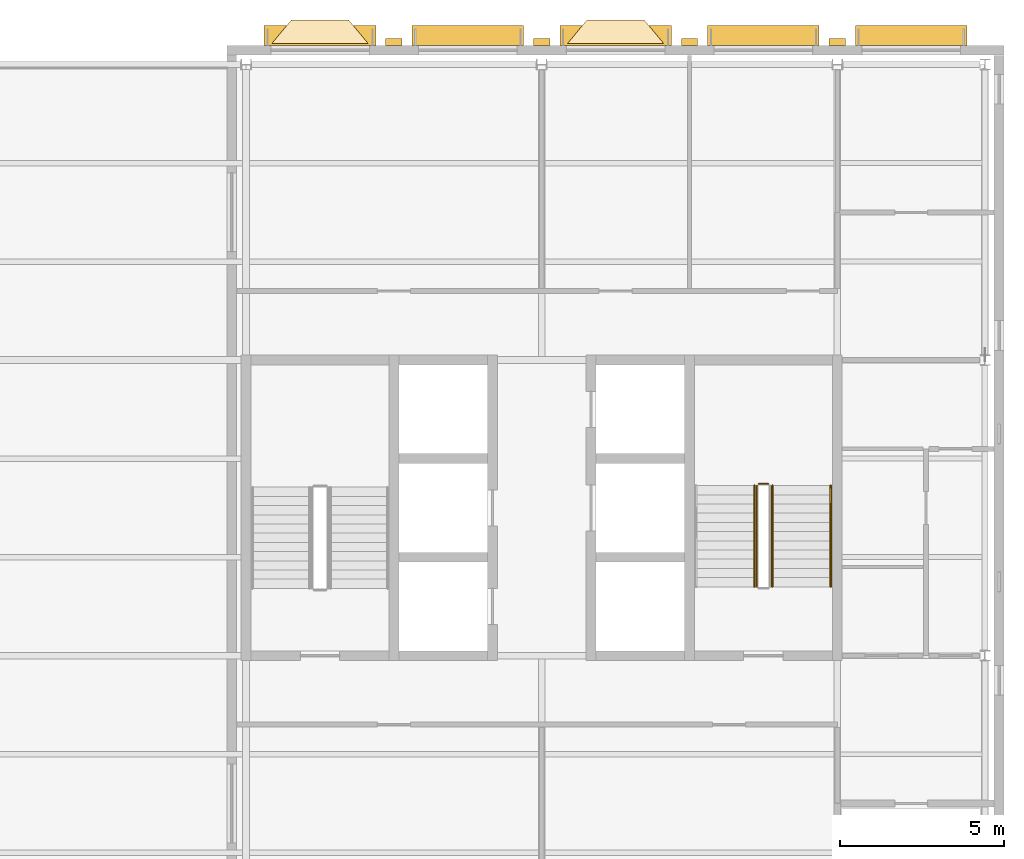
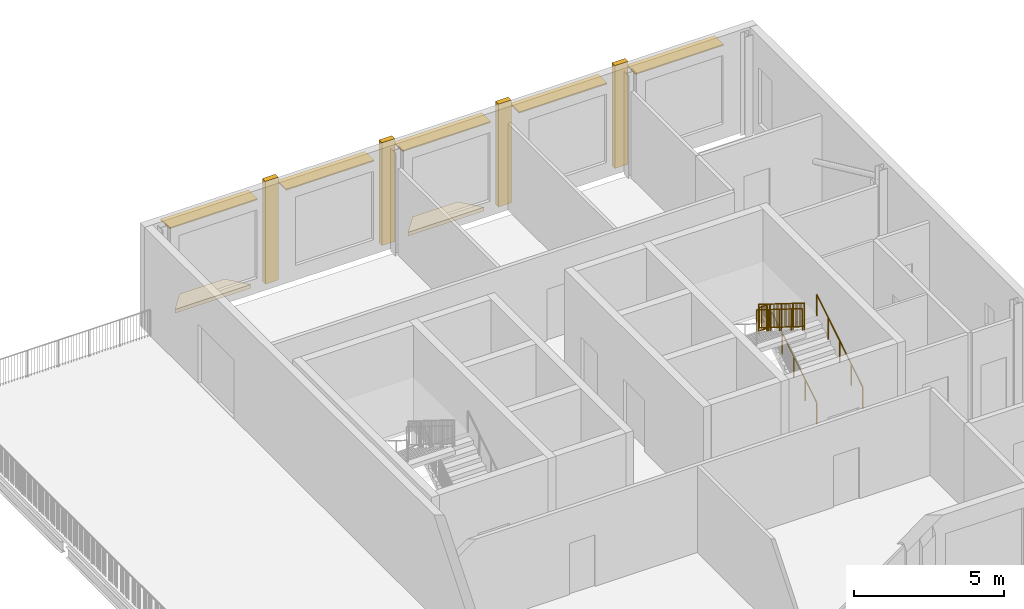
# One storey, part 7 of 7: 6 coverings, 5 railings, 5 shading devices.
"""IFC4 building model written with IfcOpenShell, lengths in metres."""

from ifc_helpers import new_model, si_unit, direction, frame, origin, origin_2d, place, context, subcontext, project, spatial, polyline, rectangle, circle, outline, extrude, material, layer, layer_set, type_object, element, save


model = new_model("IFC4")

# Units and contexts
model_context = context("Model", 3, precision=1e-05, world=origin(), true_north=direction((0.0, 1.0)))
body_context = subcontext(model_context, "Body", "Model", "MODEL_VIEW")
ifc_project = project(units=[si_unit("LENGTHUNIT", "METRE"), si_unit("AREAUNIT", "SQUARE_METRE"), si_unit("VOLUMEUNIT", "CUBIC_METRE"), si_unit("PLANEANGLEUNIT", "RADIAN"), si_unit("MASSUNIT", "GRAM", prefix="KILO")], contexts=[model_context])

# Site, building, storey
site_placement = place(None, origin())
site = spatial("IfcSite", under=ifc_project, at=site_placement, CompositionType="ELEMENT")
building_placement = place(site_placement, origin())
building = spatial("IfcBuilding", under=site, at=building_placement, Name="Hortulan Conservatory and Botanical Research Centre", CompositionType="ELEMENT")
storey_placement = place(building_placement, frame((0.0, 0.0, 61.199951171875)))
storey = spatial("IfcBuildingStorey", under=building, at=storey_placement, Name="L14", CompositionType="ELEMENT", Elevation=61.199951171875)

# Shading devices
ifc_material_1 = material(Name="Bronze-finished perforated aluminium", Category="aluminium")
ifc_layer_1 = layer(ifc_material_1, 0.050048828125)
ifc_layer_set_1 = layer_set([ifc_layer_1], Name="Brise-soleil Blade 600x50")
shading_device_type = type_object("IfcShadingDeviceType", Name="Brise-soleil Blade 600x50", PredefinedType="USERDEFINED", material=ifc_layer_set_1)
for number, where, z_axis, x_axis, name in (
    (1, (11.25, 27.885986328125, 3.5498046875), (0.0, 0.0, 1.0), (1.0, 0.0, 0.0), "Brise-soleil blade"),
    (2, (15.75, 27.885986328125, 3.5498046875), (0.0, 0.0, 1.0), (1.0, 0.0, 0.0), "Brise-soleil blade"),
    (3, (20.25, 27.885986328125, 3.5498046875), (0.0, 0.0, 1.0), (1.0, 0.0, 0.0), "Brise-soleil blade"),
    (4, (24.75, 27.885986328125, 3.5498046875), (0.0, 0.0, 1.0), (1.0, 0.0, 0.0), "Brise-soleil blade"),
    (5, (29.25, 27.885986328125, 3.5498046875), (0.0, 0.0, 1.0), (1.0, 0.0, 0.0), "Brise-soleil blade"),
):
    element("IfcShadingDevice", number, at=place(storey_placement, frame(where, z_axis=z_axis, x_axis=x_axis)), inside=storey, type_object=shading_device_type, Name=name, ObjectType="Brise-soleil blade", PredefinedType="USERDEFINED", context=body_context, shape_type="SweptSolid", body=[
        extrude(rectangle(XDim=3.39990234375, YDim=0.60009765625, at=origin_2d()), origin(), (0.0, 0.0, 1.0), 0.050048828125),
    ])

# Railings
ifc_material_2 = material(Name="Steel balustrade, bronze-charcoal paint", Category="steel")
railing_type_1 = type_object("IfcRailingType", Name="Stair Guard 1100", PredefinedType="GUARDRAIL", material=ifc_material_2)
railing_1_placement = place(storey_placement, frame((24.89990234375, 14.22998046875, 2.10009765625)))
element("IfcRailing", 6, at=railing_1_placement, inside=storey, type_object=railing_type_1, Name="Guard T2 L14 stair 2", PredefinedType="GUARDRAIL", context=body_context, shape_type="SweptSolid", body=[
    extrude(circle(Radius=0.02392578125, at=origin_2d()), frame((0.0, 0.0, 1.076171875), z_axis=(-1.0, 0.0, 0.0), x_axis=(0.0, -1.0, 0.0)), (0.0, 0.0, 1.0), 0.2998046875),
    extrude(circle(Radius=0.02392578125, at=origin_2d()), frame((0.0, 0.0, 0.1240234375), z_axis=(-1.0, 0.0, 0.0), x_axis=(0.0, -1.0, 0.0)), (0.0, 0.0, 1.0), 0.2998046875),
    extrude(circle(Radius=0.008056640625, at=origin_2d()), frame((-0.099853515625, 0.0, 0.148193359375)), (0.0, 0.0, 1.0), 0.90380859375),
    extrude(circle(Radius=0.008056640625, at=origin_2d()), frame((-0.199951171875, 0.0, 0.148193359375)), (0.0, 0.0, 1.0), 0.90380859375),
    extrude(circle(Radius=0.02099609375, at=origin_2d()), origin(), (0.0, 0.0, 1.0), 1.052001953125),
    extrude(circle(Radius=0.02099609375, at=origin_2d()), frame((-0.2998046875, 0.0, 0.0)), (0.0, 0.0, 1.0), 1.052001953125),
])
railing_2_placement = place(storey_placement, frame((24.550048828125, 14.179931640625, 2.275146484375)))
element("IfcRailing", 7, at=railing_2_placement, inside=storey, type_object=railing_type_1, Name="Guard T2 L14 stair 3", PredefinedType="GUARDRAIL", context=body_context, shape_type="SweptSolid", body=[
    extrude(circle(Radius=0.02392578125, at=origin_2d()), frame((0.0, 0.0, 1.076171875), z_axis=(0.0, -0.848009633417, 0.529980812513), x_axis=(1.0, 0.0, 0.0)), (0.0, 0.0, 1.0), 3.6318359375),
    extrude(circle(Radius=0.02392578125, at=origin_2d()), frame((0.0, 0.0, 0.1240234375), z_axis=(0.0, -0.848009633417, 0.529980812513), x_axis=(1.0, 0.0, 0.0)), (0.0, 0.0, 1.0), 3.6318359375),
    extrude(circle(Radius=0.008056640625, at=origin_2d()), frame((0.0, -0.090576171875, 0.204833984375)), (0.0, 0.0, 1.0), 0.90380859375),
    extrude(circle(Radius=0.008056640625, at=origin_2d()), frame((0.0, -0.18115234375, 0.261474609375)), (0.0, 0.0, 1.0), 0.90380859375),
    extrude(circle(Radius=0.008056640625, at=origin_2d()), frame((0.0, -0.271728515625, 0.318115234375)), (0.0, 0.0, 1.0), 0.90380859375),
    extrude(circle(Radius=0.008056640625, at=origin_2d()), frame((0.0, -0.3623046875, 0.374755859375)), (0.0, 0.0, 1.0), 0.90380859375),
    extrude(circle(Radius=0.008056640625, at=origin_2d()), frame((0.0, -0.452880859375, 0.43115234375)), (0.0, 0.0, 1.0), 0.90380859375),
    extrude(circle(Radius=0.008056640625, at=origin_2d()), frame((0.0, -0.54345703125, 0.48779296875)), (0.0, 0.0, 1.0), 0.90380859375),
    extrude(circle(Radius=0.008056640625, at=origin_2d()), frame((0.0, -0.634033203125, 0.54443359375)), (0.0, 0.0, 1.0), 0.90380859375),
    extrude(circle(Radius=0.008056640625, at=origin_2d()), frame((0.0, -0.724609375, 0.60107421875)), (0.0, 0.0, 1.0), 0.90380859375),
    extrude(circle(Radius=0.008056640625, at=origin_2d()), frame((0.0, -0.815185546875, 0.65771484375)), (0.0, 0.0, 1.0), 0.90380859375),
    extrude(circle(Radius=0.008056640625, at=origin_2d()), frame((0.0, -0.90576171875, 0.71435546875)), (0.0, 0.0, 1.0), 0.90380859375),
    extrude(circle(Radius=0.008056640625, at=origin_2d()), frame((0.0, -0.996337890625, 0.77099609375)), (0.0, 0.0, 1.0), 0.90380859375),
    extrude(circle(Radius=0.008056640625, at=origin_2d()), frame((0.0, -1.0869140625, 0.82763671875)), (0.0, 0.0, 1.0), 0.90380859375),
    extrude(circle(Radius=0.008056640625, at=origin_2d()), frame((0.0, -1.177490234375, 0.884033203125)), (0.0, 0.0, 1.0), 0.90380859375),
    extrude(circle(Radius=0.008056640625, at=origin_2d()), frame((0.0, -1.26806640625, 0.940673828125)), (0.0, 0.0, 1.0), 0.90380859375),
    extrude(circle(Radius=0.008056640625, at=origin_2d()), frame((0.0, -1.358642578125, 0.997314453125)), (0.0, 0.0, 1.0), 0.90380859375),
    extrude(circle(Radius=0.008056640625, at=origin_2d()), frame((0.0, -1.44921875, 1.053955078125)), (0.0, 0.0, 1.0), 0.90380859375),
    extrude(circle(Radius=0.008056640625, at=origin_2d()), frame((0.0, -1.5400390625, 1.110595703125)), (0.0, 0.0, 1.0), 0.90380859375),
    extrude(circle(Radius=0.008056640625, at=origin_2d()), frame((0.0, -1.630615234375, 1.167236328125)), (0.0, 0.0, 1.0), 0.90380859375),
    extrude(circle(Radius=0.008056640625, at=origin_2d()), frame((0.0, -1.72119140625, 1.223876953125)), (0.0, 0.0, 1.0), 0.90380859375),
    extrude(circle(Radius=0.008056640625, at=origin_2d()), frame((0.0, -1.811767578125, 1.280517578125)), (0.0, 0.0, 1.0), 0.90380859375),
    extrude(circle(Radius=0.008056640625, at=origin_2d()), frame((0.0, -1.90234375, 1.337158203125)), (0.0, 0.0, 1.0), 0.90380859375),
    extrude(circle(Radius=0.008056640625, at=origin_2d()), frame((0.0, -1.992919921875, 1.3935546875)), (0.0, 0.0, 1.0), 0.90380859375),
    extrude(circle(Radius=0.008056640625, at=origin_2d()), frame((0.0, -2.08349609375, 1.4501953125)), (0.0, 0.0, 1.0), 0.90380859375),
    extrude(circle(Radius=0.008056640625, at=origin_2d()), frame((0.0, -2.174072265625, 1.5068359375)), (0.0, 0.0, 1.0), 0.90380859375),
    extrude(circle(Radius=0.008056640625, at=origin_2d()), frame((0.0, -2.2646484375, 1.5634765625)), (0.0, 0.0, 1.0), 0.90380859375),
    extrude(circle(Radius=0.008056640625, at=origin_2d()), frame((0.0, -2.355224609375, 1.6201171875)), (0.0, 0.0, 1.0), 0.90380859375),
    extrude(circle(Radius=0.008056640625, at=origin_2d()), frame((0.0, -2.44580078125, 1.6767578125)), (0.0, 0.0, 1.0), 0.90380859375),
    extrude(circle(Radius=0.008056640625, at=origin_2d()), frame((0.0, -2.536376953125, 1.7333984375)), (0.0, 0.0, 1.0), 0.90380859375),
    extrude(circle(Radius=0.008056640625, at=origin_2d()), frame((0.0, -2.626953125, 1.7900390625)), (0.0, 0.0, 1.0), 0.90380859375),
    extrude(circle(Radius=0.008056640625, at=origin_2d()), frame((0.0, -2.717529296875, 1.846435546875)), (0.0, 0.0, 1.0), 0.90380859375),
    extrude(circle(Radius=0.008056640625, at=origin_2d()), frame((0.0, -2.80810546875, 1.903076171875)), (0.0, 0.0, 1.0), 0.90380859375),
    extrude(circle(Radius=0.008056640625, at=origin_2d()), frame((0.0, -2.898681640625, 1.959716796875)), (0.0, 0.0, 1.0), 0.90380859375),
    extrude(circle(Radius=0.008056640625, at=origin_2d()), frame((0.0, -2.9892578125, 2.016357421875)), (0.0, 0.0, 1.0), 0.90380859375),
    extrude(circle(Radius=0.02099609375, at=origin_2d()), origin(), (0.0, 0.0, 1.0), 1.052001953125),
    extrude(circle(Radius=0.02099609375, at=origin_2d()), frame((0.0, -0.77001953125, 0.481201171875)), (0.0, 0.0, 1.0), 1.052001953125),
    extrude(circle(Radius=0.02099609375, at=origin_2d()), frame((0.0, -1.5400390625, 0.96240234375)), (0.0, 0.0, 1.0), 1.052001953125),
    extrude(circle(Radius=0.02099609375, at=origin_2d()), frame((0.0, -2.309814453125, 1.443603515625)), (0.0, 0.0, 1.0), 1.052001953125),
    extrude(circle(Radius=0.02099609375, at=origin_2d()), frame((0.0, -3.079833984375, 1.9248046875)), (0.0, 0.0, 1.0), 1.052001953125),
])
ifc_material_3 = material(Name="Bronze handrail, polished", Category="metal")
railing_type_2 = type_object("IfcRailingType", Name="Stair Handrail 900", PredefinedType="HANDRAIL", material=ifc_material_3)
for number, where, name in (
    (8, (26.800048828125, 11.10009765625, 0.175048828125), "Handrail T2 L14 stair 1"),
    (9, (25.02001953125, 11.10009765625, 0.175048828125), "Handrail T2 L14 stair 3"),
):
    element("IfcRailing", number, at=place(storey_placement, frame(where)), inside=storey, type_object=railing_type_2, Name=name, PredefinedType="HANDRAIL", context=body_context, shape_type="SweptSolid", body=[
        extrude(circle(Radius=0.02392578125, at=origin_2d()), frame((0.0, 0.0, 0.8759765625), z_axis=(0.0, 0.847979421464, 0.530029150871), x_axis=(-1.0, 0.0, 0.0)), (0.0, 0.0, 1.0), 3.632080078125),
        extrude(circle(Radius=0.02099609375, at=origin_2d()), origin(), (0.0, 0.0, 1.0), 0.851806640625),
        extrude(circle(Radius=0.02099609375, at=origin_2d()), frame((0.0, 0.77001953125, 0.481201171875)), (0.0, 0.0, 1.0), 0.851806640625),
        extrude(circle(Radius=0.02099609375, at=origin_2d()), frame((0.0, 1.5400390625, 0.96240234375)), (0.0, 0.0, 1.0), 0.851806640625),
        extrude(circle(Radius=0.02099609375, at=origin_2d()), frame((0.0, 2.309814453125, 1.44384765625)), (0.0, 0.0, 1.0), 0.851806640625),
        extrude(circle(Radius=0.02099609375, at=origin_2d()), frame((0.0, 3.079833984375, 1.925048828125)), (0.0, 0.0, 1.0), 0.851806640625),
    ])
railing_3_placement = place(storey_placement, frame((24.47998046875, 14.179931640625, 2.275146484375)))
element("IfcRailing", 10, at=railing_3_placement, inside=storey, type_object=railing_type_2, Name="Handrail T2 L14 stair 4", PredefinedType="HANDRAIL", context=body_context, shape_type="SweptSolid", body=[
    extrude(circle(Radius=0.02392578125, at=origin_2d()), frame((0.0, 0.0, 0.8759765625), z_axis=(0.0, -0.848009633417, 0.529980812513), x_axis=(1.0, 0.0, 0.0)), (0.0, 0.0, 1.0), 3.6318359375),
    extrude(circle(Radius=0.02099609375, at=origin_2d()), origin(), (0.0, 0.0, 1.0), 0.851806640625),
    extrude(circle(Radius=0.02099609375, at=origin_2d()), frame((0.0, -0.77001953125, 0.481201171875)), (0.0, 0.0, 1.0), 0.851806640625),
    extrude(circle(Radius=0.02099609375, at=origin_2d()), frame((0.0, -1.5400390625, 0.96240234375)), (0.0, 0.0, 1.0), 0.851806640625),
    extrude(circle(Radius=0.02099609375, at=origin_2d()), frame((0.0, -2.309814453125, 1.443603515625)), (0.0, 0.0, 1.0), 0.851806640625),
    extrude(circle(Radius=0.02099609375, at=origin_2d()), frame((0.0, -3.079833984375, 1.9248046875)), (0.0, 0.0, 1.0), 0.851806640625),
])

# Coverings
ifc_material_4 = material(Name="Verdigris copper-green zinc cladding on lightweight framing", Category="metal")
ifc_layer_2 = layer(ifc_material_4, 0.14990234375)
ifc_layer_set_2 = layer_set([ifc_layer_2], Name="Verdigris Oriel Roof 150")
covering_type_1 = type_object("IfcCoveringType", Name="Verdigris Oriel Roof 150", PredefinedType="CLADDING", material=ifc_layer_set_2)
covering_1_placement = place(storey_placement, origin())
element("IfcCovering", 11, at=covering_1_placement, inside=storey, type_object=covering_type_1, Name="Oriel roof", PredefinedType="CLADDING", context=body_context, shape_type="SweptSolid", body=[
    extrude(outline(polyline([(9.780029296875, 27.635986328125), (10.3798828125, 28.35595703125), (12.1201171875, 28.35595703125), (12.719970703125, 27.635986328125), (9.780029296875, 27.635986328125)])), origin(), (0.0, 0.0, 1.0), 0.150146484375),
])
covering_2_placement = place(storey_placement, origin())
element("IfcCovering", 12, at=covering_2_placement, inside=storey, type_object=covering_type_1, Name="Oriel roof", PredefinedType="CLADDING", context=body_context, shape_type="SweptSolid", body=[
    extrude(outline(polyline([(18.780029296875, 27.635986328125), (19.3798828125, 28.35595703125), (21.1201171875, 28.35595703125), (21.719970703125, 27.635986328125), (18.780029296875, 27.635986328125)])), origin(), (0.0, 0.0, 1.0), 0.150146484375),
])
ifc_layer_3 = layer(ifc_material_4, 0.199951171875)
ifc_layer_set_3 = layer_set([ifc_layer_3], Name="Verdigris Zinc Pilaster 500x200")
covering_type_2 = type_object("IfcCoveringType", Name="Verdigris Zinc Pilaster 500x200", PredefinedType="CLADDING", material=ifc_layer_set_3)
for number, where, z_axis, x_axis, name in (
    (13, (13.5, 27.68603515625, 0.0), (0.0, 0.0, 1.0), (1.0, 0.0, 0.0), "Pier"),
    (14, (18.0, 27.68603515625, 0.0), (0.0, 0.0, 1.0), (1.0, 0.0, 0.0), "Pier"),
    (15, (22.5, 27.68603515625, 0.0), (0.0, 0.0, 1.0), (1.0, 0.0, 0.0), "Pier"),
    (16, (27.0, 27.68603515625, 0.0), (0.0, 0.0, 1.0), (1.0, 0.0, 0.0), "Pier"),
):
    element("IfcCovering", number, at=place(storey_placement, frame(where, z_axis=z_axis, x_axis=x_axis)), inside=storey, type_object=covering_type_2, Name=name, PredefinedType="CLADDING", context=body_context, shape_type="SweptSolid", body=[
        extrude(rectangle(XDim=0.5, YDim=0.199951171875, at=origin_2d()), origin(), (0.0, 0.0, 1.0), 4.199951171875),
    ])

save(model, "model.ifc")
